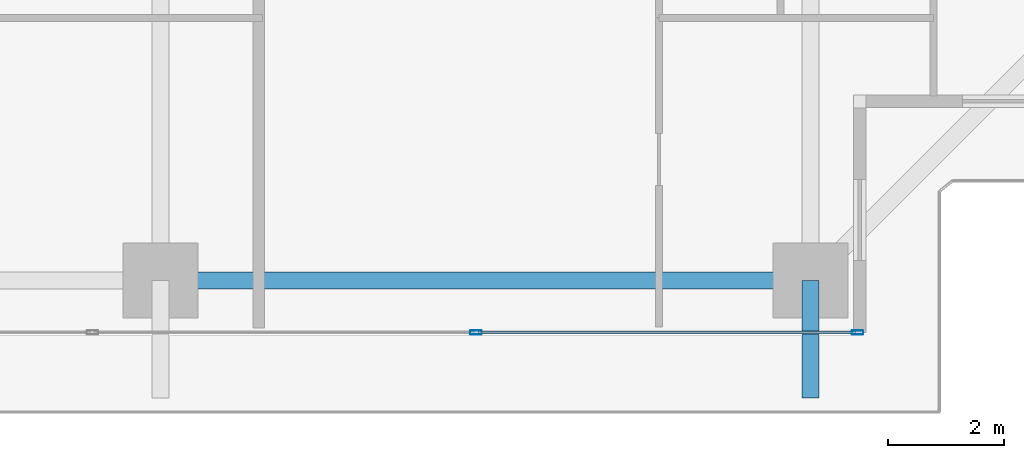
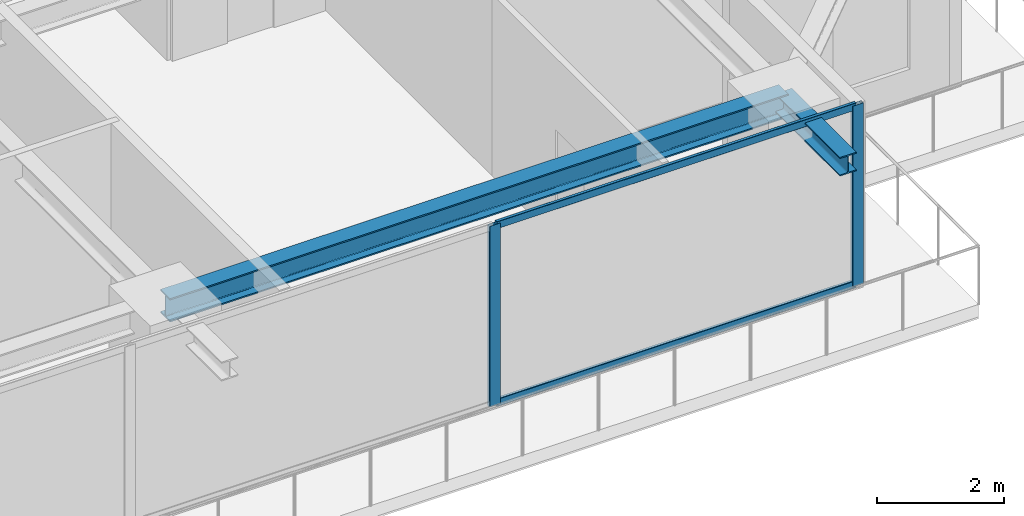
# One storey, part 9 of 33: 4 members, 2 beams, 1 element without a shape of its own.
"""IFC4 building model written with IfcOpenShell, lengths in metres."""

from ifc_helpers import new_model, si_unit, direction, frame, origin, origin_2d, place, context, subcontext, project, spatial, hollow_rectangle, i_section, extrude, source, transform, mapped, material, layer, layer_set, material_profile, profile_set, type_object, element, aggregate, save


model = new_model("IFC4")

# Units and contexts
model_context = context("Model", 3, precision=1e-05, world=origin(), true_north=direction((0.0, 1.0)))
body_context = subcontext(model_context, "Body", "Model", "MODEL_VIEW")
ifc_project = project(units=[si_unit("LENGTHUNIT", "METRE"), si_unit("AREAUNIT", "SQUARE_METRE"), si_unit("VOLUMEUNIT", "CUBIC_METRE"), si_unit("PLANEANGLEUNIT", "RADIAN"), si_unit("MASSUNIT", "GRAM", prefix="KILO")], contexts=[model_context])

# Site, building, storey
site_placement = place(None, origin())
site = spatial("IfcSite", under=ifc_project, at=site_placement, CompositionType="ELEMENT")
building_placement = place(site_placement, origin())
building = spatial("IfcBuilding", under=site, at=building_placement, Name="Serunith Strait Residences", CompositionType="ELEMENT")
storey_placement = place(building_placement, frame((0.0, 0.0, 165.14990234375)))
storey = spatial("IfcBuildingStorey", under=building, at=storey_placement, Name="L41", CompositionType="ELEMENT", Elevation=165.14990234375)

# Beams
ifc_material_1 = material(Name="Steel S355J2", Category="steel")
ifc_material_profile_1 = material_profile(ifc_material_1, i_section(OverallWidth=0.300048828125, OverallDepth=0.449951171875, WebThickness=0.013916015625, FlangeThickness=0.02587890625, FilletRadius=0.027099609375, at=origin_2d()), Name="HEB 450")
ifc_profile_set_1 = profile_set([ifc_material_profile_1], Name="Steel S355J2")
beam_type_1 = type_object("IfcBeamType", Name="BM-HEB450", PredefinedType="BEAM", material=ifc_profile_set_1)
shared_shape_1 = source(origin(), body_context, "Body", "SweptSolid", [
    extrude(i_section(OverallWidth=0.300048828125, OverallDepth=0.449951171875, WebThickness=0.013916015625, FlangeThickness=0.02587890625, FilletRadius=0.027099609375, at=origin_2d()), origin(), (0.0, 0.0, 1.0), 11.25),
])
beam_1_placement = place(storey_placement, frame((36.89990234375, 2.300048828125, 3.26220703125), z_axis=(1.0, 0.0, 0.0), x_axis=(0.0, 1.0, 0.0)))
element("IfcBeam", 1, at=beam_1_placement, inside=storey, type_object=beam_type_1, Name="L41 Perimeter Ring Beam 03", PredefinedType="BEAM", context=body_context, shape_type="MappedRepresentation", body=[
    mapped(shared_shape_1, transform((0.0, 0.0, 0.0), scale=1.0)),
])
ifc_material_profile_2 = material_profile(ifc_material_1, i_section(OverallWidth=0.300048828125, OverallDepth=0.360107421875, WebThickness=0.012451171875, FlangeThickness=0.0224609375, FilletRadius=0.027099609375, at=origin_2d()), Name="HEB 360")
ifc_profile_set_2 = profile_set([ifc_material_profile_2], Name="Steel S355J2")
beam_type_2 = type_object("IfcBeamType", Name="BM-HEB360", PredefinedType="BEAM", material=ifc_profile_set_2)
shared_shape_2 = source(origin(), body_context, "Body", "SweptSolid", [
    extrude(i_section(OverallWidth=0.300048828125, OverallDepth=0.360107421875, WebThickness=0.012451171875, FlangeThickness=0.0224609375, FilletRadius=0.027099609375, at=origin_2d()), origin(), (0.0, 0.0, 1.0), 2.030029296875),
])
beam_2_placement = place(storey_placement, frame((48.14990234375, 2.300048828125, 3.277099609375), z_axis=(0.0, -1.0, 0.0), x_axis=(1.0, 0.0, 0.0)))
element("IfcBeam", 2, at=beam_2_placement, inside=storey, type_object=beam_type_2, Name="L42 Cantilevered Balcony Rib TC-S4", PredefinedType="BEAM", context=body_context, shape_type="MappedRepresentation", body=[
    mapped(shared_shape_2, transform((0.0, 0.0, 0.0), scale=1.0)),
])

# Curtain wall, members
ifc_material_2 = material(Name="Pale-Champagne Anodised Aluminium", Category="aluminium")
ifc_layer = layer(ifc_material_2, 0.199951171875, Name="Pale-Champagne Anodised Aluminium")
ifc_layer_set = layer_set([ifc_layer], Name="Pale-Champagne Anodised Aluminium")
curtain_wall_type = type_object("IfcCurtainWallType", Name="CW-SYS2", PredefinedType="NOTDEFINED", material=ifc_layer_set)
curtain_wall_placement = place(storey_placement, origin())
curtain_wall = element("IfcCurtainWall", 3, at=curtain_wall_placement, inside=storey, type_object=curtain_wall_type, Name="L41 S Unitised Fritted Curtain Wall", PredefinedType="NOTDEFINED")
ifc_material_profile_3 = material_profile(ifc_material_2, hollow_rectangle(XDim=0.070068359375, YDim=0.199951171875, WallThickness=0.00390625, InnerFilletRadius=0.006103515625, OuterFilletRadius=0.010009765625, at=origin_2d()), Name="ALU 200x70x4")
ifc_profile_set_3 = profile_set([ifc_material_profile_3], Name="Pale-Champagne Anodised Aluminium")
member_type_1 = type_object("IfcMemberType", Name="CW-SYS2-MULL", PredefinedType="MULLION", material=ifc_profile_set_3)
shared_shape_3 = source(origin(), body_context, "Body", "SweptSolid", [
    extrude(hollow_rectangle(XDim=0.070068359375, YDim=0.199951171875, WallThickness=0.00390625, InnerFilletRadius=0.006103515625, OuterFilletRadius=0.010009765625, at=origin_2d()), origin(), (0.0, 0.0, 1.0), 3.47509765625),
])
member_1_placement = place(storey_placement, frame((42.360107421875, 1.39990234375, 0.0), z_axis=(0.0, 0.0, 1.0), x_axis=(0.0, 1.0, 0.0)))
member_1 = element("IfcMember", 4, at=member_1_placement, type_object=member_type_1, Name="CW-2 mullion 5", PredefinedType="MULLION", context=body_context, shape_type="MappedRepresentation", body=[
    mapped(shared_shape_3, transform((0.0, 0.0, 0.0), scale=1.0)),
])
member_2_placement = place(storey_placement, frame((48.965087890625, 1.39990234375, 0.0), z_axis=(0.0, 0.0, 1.0), x_axis=(0.0, 1.0, 0.0)))
member_2 = element("IfcMember", 5, at=member_2_placement, type_object=member_type_1, Name="CW-2 mullion 6", PredefinedType="MULLION", context=body_context, shape_type="MappedRepresentation", body=[
    mapped(shared_shape_3, transform((0.0, 0.0, 0.0), scale=1.0)),
])
ifc_material_profile_4 = material_profile(ifc_material_2, hollow_rectangle(XDim=0.06005859375, YDim=0.139892578125, WallThickness=0.00341796875, InnerFilletRadius=0.00537109375, OuterFilletRadius=0.0087890625, at=origin_2d()), Name="ALU 140x60x3.5")
ifc_profile_set_4 = profile_set([ifc_material_profile_4], Name="Pale-Champagne Anodised Aluminium")
member_type_2 = type_object("IfcMemberType", Name="CW-SYS2-TRAN", PredefinedType="USERDEFINED", material=ifc_profile_set_4)
shared_shape_4 = source(origin(), body_context, "Body", "SweptSolid", [
    extrude(hollow_rectangle(XDim=0.06005859375, YDim=0.139892578125, WallThickness=0.00341796875, InnerFilletRadius=0.00537109375, OuterFilletRadius=0.0087890625, at=origin_2d()), origin(), (0.0, 0.0, 1.0), 6.534912109375),
])
member_3_placement = place(storey_placement, frame((42.39501953125, 1.39990234375, 0.030029296875), z_axis=(1.0, 0.0, 0.0), x_axis=(0.0, 1.0, 0.0)))
member_3 = element("IfcMember", 6, at=member_3_placement, type_object=member_type_2, Name="CW-2 transom 5.1", ObjectType="TRANSOM", PredefinedType="USERDEFINED", context=body_context, shape_type="MappedRepresentation", body=[
    mapped(shared_shape_4, transform((0.0, 0.0, 0.0), scale=1.0)),
])
member_4_placement = place(storey_placement, frame((42.39501953125, 1.39990234375, 3.445068359375), z_axis=(1.0, 0.0, 0.0), x_axis=(0.0, 1.0, 0.0)))
member_4 = element("IfcMember", 7, at=member_4_placement, type_object=member_type_2, Name="CW-2 transom 5.2", ObjectType="TRANSOM", PredefinedType="USERDEFINED", context=body_context, shape_type="MappedRepresentation", body=[
    mapped(shared_shape_4, transform((0.0, 0.0, 0.0), scale=1.0)),
])
aggregate(curtain_wall, [member_1, member_2, member_3, member_4])

save(model, "model.ifc")
